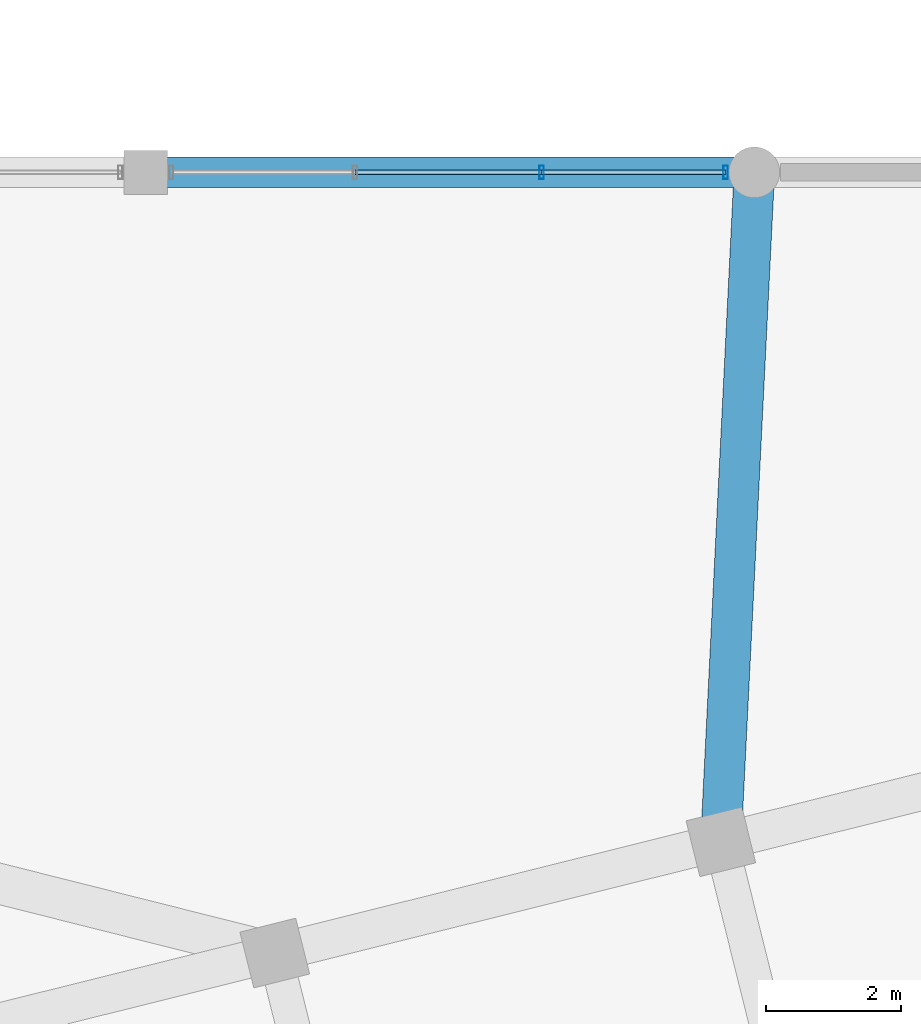
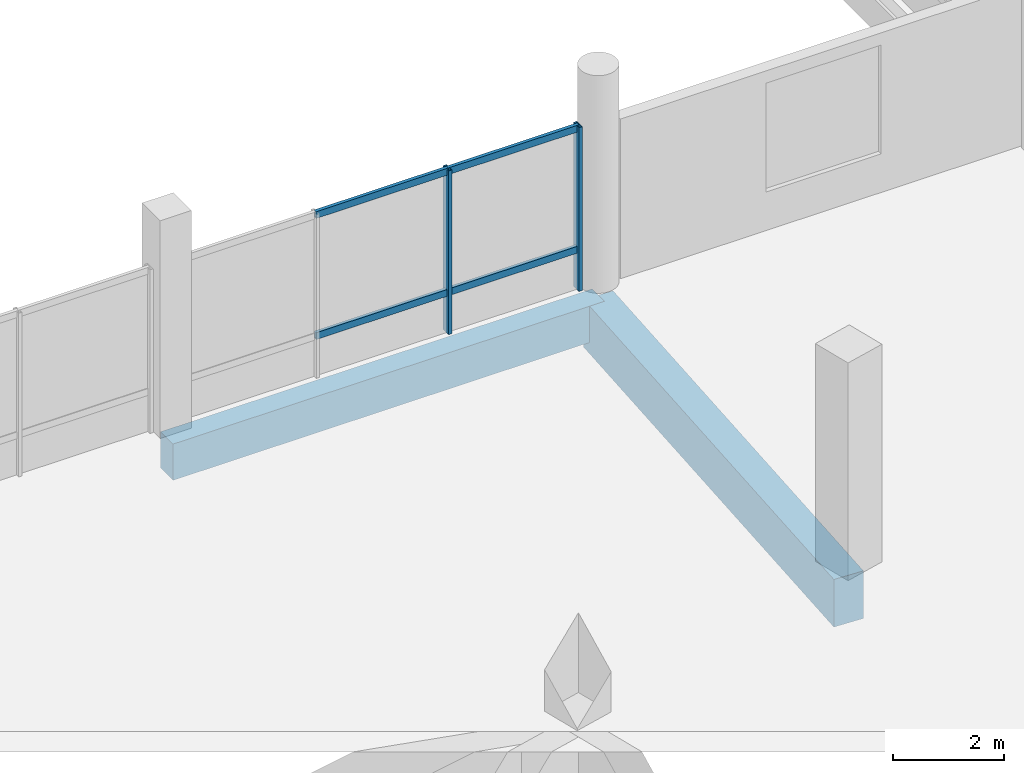
# One storey, part 34 of 71: 6 members, 2 beams, 1 element without a shape of its own.
"""IFC4 building model written with IfcOpenShell, lengths in metres."""

from ifc_helpers import new_model, si_unit, direction, frame, origin, origin_2d, place, context, subcontext, project, spatial, rectangle, hollow_rectangle, extrude, material, layer, layer_set, material_profile, profile_set, type_object, element, aggregate, save


model = new_model("IFC4")

# Units and contexts
model_context = context("Model", 3, precision=1e-05, world=origin(), true_north=direction((0.0, 1.0)))
body_context = subcontext(model_context, "Body", "Model", "MODEL_VIEW")
ifc_project = project(units=[si_unit("LENGTHUNIT", "METRE"), si_unit("AREAUNIT", "SQUARE_METRE"), si_unit("VOLUMEUNIT", "CUBIC_METRE"), si_unit("PLANEANGLEUNIT", "RADIAN"), si_unit("MASSUNIT", "GRAM", prefix="KILO")], contexts=[model_context])

# Site, building, storey
site_placement = place(None, origin())
site = spatial("IfcSite", under=ifc_project, at=site_placement, CompositionType="ELEMENT")
building_placement = place(site_placement, origin())
building = spatial("IfcBuilding", under=site, at=building_placement, Name="Meriwether Solvik Hall", CompositionType="ELEMENT")
storey_placement = place(building_placement, frame((0.0, 0.0, 5.10009765625)))
storey = spatial("IfcBuildingStorey", under=building, at=storey_placement, Name="L01", CompositionType="ELEMENT", Elevation=5.10009765625)

# Beams
ifc_material_1 = material(Name="Concrete C40/50", Category="concrete")
ifc_material_profile_1 = material_profile(ifc_material_1, rectangle(XDim=0.449951171875, YDim=0.800048828125, at=origin_2d()), Name="RCB-450X800")
ifc_profile_set_1 = profile_set([ifc_material_profile_1], Name="Concrete C40/50")
beam_type_1 = type_object("IfcBeamType", Name="BM-RC-450X800", PredefinedType="BEAM", material=ifc_profile_set_1)
beam_1_placement = place(storey_placement, frame((86.800048828125, 92.800048828125, -0.7001953125), z_axis=(1.0, 0.0, 0.0), x_axis=(0.0, 1.0, 0.0)))
element("IfcBeam", 1, at=beam_1_placement, inside=storey, type_object=beam_type_1, Name="Podium Girder K:10-11 (L01)", PredefinedType="BEAM", context=body_context, shape_type="SweptSolid", body=[
    extrude(rectangle(XDim=0.449951171875, YDim=0.800048828125, at=origin_2d()), origin(), (0.0, 0.0, 1.0), 9.0),
])
ifc_material_2 = material(Name="Concrete C40/50", Category="concrete")
ifc_material_profile_2 = material_profile(ifc_material_2, rectangle(XDim=0.60009765625, YDim=1.050048828125, at=origin_2d()), Name="RCB-600X1050")
ifc_profile_set_2 = profile_set([ifc_material_profile_2], Name="Concrete C40/50")
beam_type_2 = type_object("IfcBeamType", Name="BM-RC-600X1050", PredefinedType="BEAM", material=ifc_profile_set_2)
beam_2_placement = place(storey_placement, frame((95.305419921875, 82.899169921875, -0.8251953125), z_axis=(0.049895854105, 0.998754426144, 0.0), x_axis=(-0.998754426144, 0.049895854105, 0.0)))
element("IfcBeam", 2, at=beam_2_placement, inside=storey, type_object=beam_type_2, Name="Diaphragm Collector Girder T6/TF-11/K (L01)", PredefinedType="BEAM", context=body_context, shape_type="SweptSolid", body=[
    extrude(rectangle(XDim=0.60009765625, YDim=1.050048828125, at=origin_2d()), origin(), (0.0, 0.0, 1.0), 9.913330078125),
])

# Curtain wall, members
ifc_material_3 = material(Name="Thermally Broken Anodised Aluminium 6063-T6 and Low-E Glass", Category="aluminium")
ifc_layer = layer(ifc_material_3, 0.179931640625)
ifc_layer_set = layer_set([ifc_layer], Name="Thermally Broken Anodised Aluminium 6063-T6 and Low-E Glass")
curtain_wall_type = type_object("IfcCurtainWallType", Name="CW-SF-POD-B", PredefinedType="USERDEFINED", material=ifc_layer_set)
curtain_wall_placement = place(storey_placement, origin())
curtain_wall = element("IfcCurtainWall", 3, at=curtain_wall_placement, inside=storey, type_object=curtain_wall_type, Name="Curtain Wall wing_XK_10_27 (L01)", ObjectType="STICK STOREFRONT GLAZING", PredefinedType="USERDEFINED")
ifc_material_4 = material(Name="Anodised Aluminium 6063-T6", Category="aluminium")
ifc_material_profile_3 = material_profile(ifc_material_4, hollow_rectangle(XDim=0.070068359375, YDim=0.199951171875, WallThickness=0.0048828125, at=origin_2d()), Name="CWM-70X200")
ifc_profile_set_3 = profile_set([ifc_material_profile_3], Name="Anodised Aluminium 6063-T6")
member_type_1 = type_object("IfcMemberType", Name="CW-MUL-70X200", PredefinedType="MULLION", material=ifc_profile_set_3)
member_1_placement = place(storey_placement, frame((92.654296875, 92.800048828125, 0.0), z_axis=(0.0, 0.0, 1.0), x_axis=(1.0, 0.0, 0.0)))
member_1 = element("IfcMember", 4, at=member_1_placement, type_object=member_type_1, Name="Curtain Wall Mullion 3", PredefinedType="MULLION", context=body_context, shape_type="SweptSolid", body=[
    extrude(hollow_rectangle(XDim=0.070068359375, YDim=0.199951171875, WallThickness=0.0048828125, at=origin_2d()), origin(), (0.0, 0.0, 1.0), 3.60986328125),
])
member_2_placement = place(storey_placement, frame((95.375, 92.800048828125, 0.0), z_axis=(0.0, 0.0, 1.0), x_axis=(1.0, 0.0, 0.0)))
member_2 = element("IfcMember", 5, at=member_2_placement, type_object=member_type_1, Name="Curtain Wall Mullion 4", PredefinedType="MULLION", context=body_context, shape_type="SweptSolid", body=[
    extrude(hollow_rectangle(XDim=0.070068359375, YDim=0.199951171875, WallThickness=0.0048828125, at=origin_2d()), origin(), (0.0, 0.0, 1.0), 3.60986328125),
])
ifc_material_5 = material(Name="Anodised Aluminium 6063-T6", Category="aluminium")
ifc_material_profile_4 = material_profile(ifc_material_5, hollow_rectangle(XDim=0.070068359375, YDim=0.14990234375, WallThickness=0.0048828125, at=origin_2d()), Name="CWT-70X150")
ifc_profile_set_4 = profile_set([ifc_material_profile_4], Name="Anodised Aluminium 6063-T6")
member_type_2 = type_object("IfcMemberType", Name="CW-TRN-70X150", PredefinedType="USERDEFINED", material=ifc_profile_set_4)
member_3_placement = place(storey_placement, frame((89.895751953125, 92.800048828125, 0.8798828125), z_axis=(1.0, 0.0, 0.0), x_axis=(0.0, 1.0, 0.0)))
member_3 = element("IfcMember", 6, at=member_3_placement, type_object=member_type_2, Name="Curtain Wall Transom 2-sill", ObjectType="TRANSOM", PredefinedType="USERDEFINED", context=body_context, shape_type="SweptSolid", body=[
    extrude(hollow_rectangle(XDim=0.070068359375, YDim=0.14990234375, WallThickness=0.0048828125, at=origin_2d()), origin(), (0.0, 0.0, 1.0), 2.758544921875),
])
member_4_placement = place(storey_placement, frame((89.895751953125, 92.800048828125, 3.5498046875), z_axis=(1.0, 0.0, 0.0), x_axis=(0.0, 1.0, 0.0)))
member_4 = element("IfcMember", 7, at=member_4_placement, type_object=member_type_2, Name="Curtain Wall Transom 2-head", ObjectType="TRANSOM", PredefinedType="USERDEFINED", context=body_context, shape_type="SweptSolid", body=[
    extrude(hollow_rectangle(XDim=0.070068359375, YDim=0.14990234375, WallThickness=0.0048828125, at=origin_2d()), origin(), (0.0, 0.0, 1.0), 2.758544921875),
])
member_5_placement = place(storey_placement, frame((92.654296875, 92.800048828125, 0.8798828125), z_axis=(1.0, 0.0, 0.0), x_axis=(0.0, 1.0, 0.0)))
member_5 = element("IfcMember", 8, at=member_5_placement, type_object=member_type_2, Name="Curtain Wall Transom 3-sill", ObjectType="TRANSOM", PredefinedType="USERDEFINED", context=body_context, shape_type="SweptSolid", body=[
    extrude(hollow_rectangle(XDim=0.070068359375, YDim=0.14990234375, WallThickness=0.0048828125, at=origin_2d()), origin(), (0.0, 0.0, 1.0), 2.720703125),
])
member_6_placement = place(storey_placement, frame((92.654296875, 92.800048828125, 3.5498046875), z_axis=(1.0, 0.0, 0.0), x_axis=(0.0, 1.0, 0.0)))
member_6 = element("IfcMember", 9, at=member_6_placement, type_object=member_type_2, Name="Curtain Wall Transom 3-head", ObjectType="TRANSOM", PredefinedType="USERDEFINED", context=body_context, shape_type="SweptSolid", body=[
    extrude(hollow_rectangle(XDim=0.070068359375, YDim=0.14990234375, WallThickness=0.0048828125, at=origin_2d()), origin(), (0.0, 0.0, 1.0), 2.720703125),
])
aggregate(curtain_wall, [member_1, member_2, member_3, member_4, member_5, member_6])

save(model, "model.ifc")
